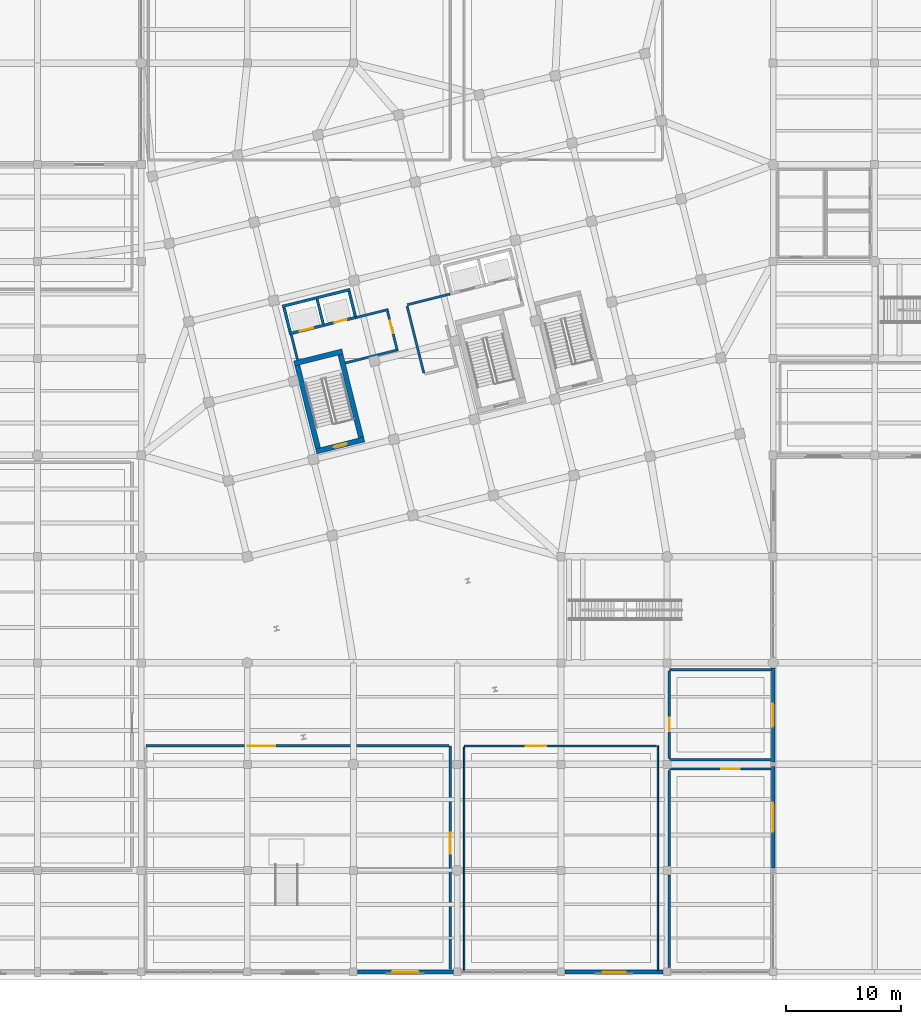
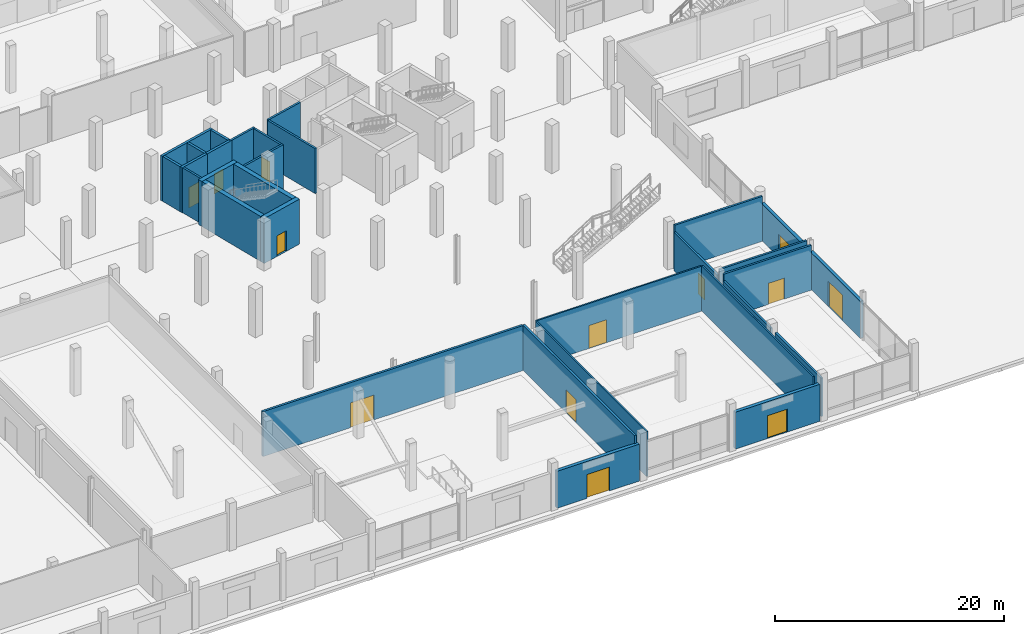
# One storey, part 59 of 73: 31 walls, 13 doors, 13 openings.
"""IFC4 building model written with IfcOpenShell, lengths in metres."""

from ifc_helpers import new_model, si_unit, direction, frame, frame_2d, origin, place, context, subcontext, project, spatial, rectangle, extrude, material, layer, layer_set, type_object, element, fill, save


model = new_model("IFC4")

# Units and contexts
model_context = context("Model", 3, precision=1e-05, world=origin(), true_north=direction((0.0, 1.0)))
body_context = subcontext(model_context, "Body", "Model", "MODEL_VIEW")
ifc_project = project(units=[si_unit("LENGTHUNIT", "METRE"), si_unit("AREAUNIT", "SQUARE_METRE"), si_unit("VOLUMEUNIT", "CUBIC_METRE"), si_unit("PLANEANGLEUNIT", "RADIAN"), si_unit("MASSUNIT", "GRAM", prefix="KILO")], contexts=[model_context])

# Site, building, storey
site_placement = place(None, origin())
site = spatial("IfcSite", under=ifc_project, at=site_placement, CompositionType="ELEMENT")
building_placement = place(site_placement, origin())
building = spatial("IfcBuilding", under=site, at=building_placement, Name="Meriwether Solvik Hall", CompositionType="ELEMENT")
storey_placement = place(building_placement, origin())
storey = spatial("IfcBuildingStorey", under=building, at=storey_placement, Name="L00", CompositionType="ELEMENT", Elevation=0.0)

# Wall, opening, door
ifc_material_1 = material(Name="Acoustic Mineral-Wool Double Gypsum Board", Category="gypsum")
ifc_layer_1 = layer(ifc_material_1, 0.219970703125)
ifc_layer_set_1 = layer_set([ifc_layer_1], Name="Acoustic Mineral-Wool Double Gypsum Board")
wall_type_1 = type_object("IfcWallType", Name="WALL-ACST-220", PredefinedType="PARTITIONING", material=ifc_layer_set_1)
wall_1_placement = place(storey_placement, frame((86.199951171875, 24.800048828125, 0.0), z_axis=(0.0, 0.0, 1.0), x_axis=(0.0, -1.0, 0.0)))
wall_1 = element("IfcWall", 1, at=wall_1_placement, inside=storey, type_object=wall_type_1, Name="L00 Interior Partition main_hall_e", PredefinedType="PARTITIONING", context=body_context, shape_type="SweptSolid", body=[
    extrude(rectangle(XDim=19.5, YDim=0.219970703125, at=frame_2d((9.75, 0.0))), origin(), (0.0, 0.0, 1.0), 4.800048828125),
])
opening_1_placement = place(wall_1_placement, frame((7.53955078125, 0.0, 0.0)))
opening_1 = element("IfcOpeningElement", 2, at=opening_1_placement, cuts=wall_1, Name="Opening D-182", PredefinedType="OPENING", context=body_context, shape_type="SweptSolid", body=[
    extrude(rectangle(XDim=1.800048828125, YDim=2.449951171875, at=frame_2d((0.89990234375, 1.22509765625))), frame((0.0, 0.1220703125, 0.0), z_axis=(0.0, -1.0, 0.0), x_axis=(1.0, 0.0, 0.0)), (0.0, 0.0, 1.0), 0.243896484375),
])
ifc_material_2 = material(Name="Solid-Core Rift White Oak Timber", Category="wood")
door_type_1 = type_object("IfcDoorType", Name="DR-AC-1800", OperationType="DOUBLE_DOOR_SINGLE_SWING", PredefinedType="DOOR", material=ifc_material_2)
door_1_placement = place(opening_1_placement, origin())
door_1 = element("IfcDoor", 3, at=door_1_placement, inside=storey, type_object=door_type_1, Name="Main Hall Door 1", OperationType="DOUBLE_DOOR_SINGLE_SWING", OverallHeight=2.449951171875, OverallWidth=1.800048828125, PredefinedType="DOOR", context=body_context, shape_type="SweptSolid", body=[
    extrude(rectangle(XDim=1.800048828125, YDim=2.449951171875, at=frame_2d((0.89990234375, 1.22509765625))), frame((0.0, 0.02490234375, 0.0), z_axis=(0.0, -1.0, 0.0), x_axis=(1.0, 0.0, 0.0)), (0.0, 0.0, 1.0), 0.050048828125),
])
fill(opening_1, door_1)

wall_2_placement = place(storey_placement, frame((59.800048828125, 24.800048828125, 0.0), z_axis=(0.0, 0.0, 1.0), x_axis=(1.0, 0.0, 0.0)))
wall_2 = element("IfcWall", 4, at=wall_2_placement, inside=storey, type_object=wall_type_1, Name="L00 Interior Partition main_hall_n", PredefinedType="PARTITIONING", context=body_context, shape_type="SweptSolid", body=[
    extrude(rectangle(XDim=26.280029296875, YDim=0.219970703125, at=frame_2d((13.14013671875, 0.0))), origin(), (0.0, 0.0, 1.0), 4.800048828125),
])
opening_2_placement = place(wall_2_placement, frame((8.837646484375, 0.0, 0.0)))
opening_2 = element("IfcOpeningElement", 5, at=opening_2_placement, cuts=wall_2, Name="Opening D-110", PredefinedType="OPENING", context=body_context, shape_type="SweptSolid", body=[
    extrude(rectangle(XDim=2.39990234375, YDim=2.64990234375, at=frame_2d((1.199951171875, 1.324951171875))), frame((0.0, 0.1220703125, 0.0), z_axis=(0.0, -1.0, 0.0), x_axis=(1.0, 0.0, 0.0)), (0.0, 0.0, 1.0), 0.243896484375),
])
ifc_material_3 = material(Name="Solid-Core Rift White Oak Timber", Category="wood")
door_type_2 = type_object("IfcDoorType", Name="DR-HALL-2400", OperationType="DOUBLE_DOOR_SINGLE_SWING", PredefinedType="DOOR", material=ifc_material_3)
door_2_placement = place(opening_2_placement, origin())
door_2 = element("IfcDoor", 6, at=door_2_placement, inside=storey, type_object=door_type_2, Name="Main Hall Door", OperationType="DOUBLE_DOOR_SINGLE_SWING", OverallHeight=2.64990234375, OverallWidth=2.39990234375, PredefinedType="DOOR", context=body_context, shape_type="SweptSolid", body=[
    extrude(rectangle(XDim=2.39990234375, YDim=2.64990234375, at=frame_2d((1.199951171875, 1.324951171875))), frame((0.0, 0.02490234375, 0.0), z_axis=(0.0, -1.0, 0.0), x_axis=(1.0, 0.0, 0.0)), (0.0, 0.0, 1.0), 0.050048828125),
])
fill(opening_2, door_2)

ifc_material_4 = material(Name="Concrete C40/50 Precast", Category="concrete")
ifc_layer_2 = layer(ifc_material_4, 0.31494140625)
ifc_layer_set_2 = layer_set([ifc_layer_2], Name="Concrete C40/50 Precast")
wall_type_2 = type_object("IfcWallType", Name="WALL-EXT-315", PredefinedType="SOLIDWALL", material=ifc_layer_set_2)
wall_3_placement = place(storey_placement, frame((114.199951171875, 23.001953125, 0.0), z_axis=(0.0, 0.0, 1.0), x_axis=(0.0, -1.0, 0.0)))
wall_3 = element("IfcWall", 7, at=wall_3_placement, inside=storey, type_object=wall_type_2, Name="L00 E Wing Facade Wall Y13_2_60", PredefinedType="SOLIDWALL", context=body_context, shape_type="SweptSolid", body=[
    extrude(rectangle(XDim=8.803955078125, YDim=0.31494140625, at=frame_2d((4.40185546875, 0.0))), origin(), (0.0, 0.0, 1.0), 3.93994140625),
])
opening_3_placement = place(wall_3_placement, frame((3.152099609375, 0.0, 0.0)))
opening_3 = element("IfcOpeningElement", 8, at=opening_3_placement, cuts=wall_3, Name="Opening D-112", PredefinedType="OPENING", context=body_context, shape_type="SweptSolid", body=[
    extrude(rectangle(XDim=2.5, YDim=2.699951171875, at=frame_2d((1.25, 1.35009765625))), frame((0.0, 0.16943359375, 0.0), z_axis=(0.0, -1.0, 0.0), x_axis=(1.0, 0.0, 0.0)), (0.0, 0.0, 1.0), 0.3388671875),
])
ifc_material_5 = material(Name="Thermally Broken Anodised Aluminium and Laminated Glass", Category="aluminium")
door_type_3 = type_object("IfcDoorType", Name="DR-EXT-MAIN-2500", OperationType="DOUBLE_DOOR_SINGLE_SWING", PredefinedType="DOOR", material=ifc_material_5)
door_3_placement = place(opening_3_placement, origin())
door_3 = element("IfcDoor", 9, at=door_3_placement, inside=storey, type_object=door_type_3, Name="Southeast Forecourt Civic Hall Entrance", OperationType="DOUBLE_DOOR_SINGLE_SWING", OverallHeight=2.699951171875, OverallWidth=2.5, PredefinedType="DOOR", context=body_context, shape_type="SweptSolid", body=[
    extrude(rectangle(XDim=2.5, YDim=2.699951171875, at=frame_2d((1.25, 1.35009765625))), frame((0.0, 0.02490234375, 0.0), z_axis=(0.0, -1.0, 0.0), x_axis=(1.0, 0.0, 0.0)), (0.0, 0.0, 1.0), 0.050048828125),
])
fill(opening_3, door_3)

wall_4_placement = place(storey_placement, frame((114.199951171875, 31.5380859375, 0.0), z_axis=(0.0, 0.0, 1.0), x_axis=(0.0, -1.0, 0.0)))
wall_4 = element("IfcWall", 10, at=wall_4_placement, inside=storey, type_object=wall_type_2, Name="L00 E Wing Facade Wall Y13_3_61", PredefinedType="SOLIDWALL", context=body_context, shape_type="SweptSolid", body=[
    extrude(rectangle(XDim=8.14013671875, YDim=0.31494140625, at=frame_2d((4.070068359375, 0.0))), origin(), (0.0, 0.0, 1.0), 3.93994140625),
])
opening_4_placement = place(wall_4_placement, frame((3.070068359375, 0.0, 0.0)))
opening_4 = element("IfcOpeningElement", 11, at=opening_4_placement, cuts=wall_4, Name="Opening D-138", PredefinedType="OPENING", context=body_context, shape_type="SweptSolid", body=[
    extrude(rectangle(XDim=2.0, YDim=2.449951171875, at=frame_2d((1.0, 1.22509765625))), frame((0.0, 0.16943359375, 0.0), z_axis=(0.0, -1.0, 0.0), x_axis=(1.0, 0.0, 0.0)), (0.0, 0.0, 1.0), 0.3388671875),
])
ifc_material_6 = material(Name="Thermally Broken Anodised Aluminium and Laminated Glass", Category="aluminium")
door_type_4 = type_object("IfcDoorType", Name="DR-EXT-EXIT-2000", OperationType="DOUBLE_DOOR_SINGLE_SWING", PredefinedType="DOOR", material=ifc_material_6)
door_4_placement = place(opening_4_placement, origin())
door_4 = element("IfcDoor", 12, at=door_4_placement, inside=storey, type_object=door_type_4, Name="Fire Command Centre Direct Exterior Door", OperationType="DOUBLE_DOOR_SINGLE_SWING", OverallHeight=2.449951171875, OverallWidth=2.0, PredefinedType="DOOR", context=body_context, shape_type="SweptSolid", body=[
    extrude(rectangle(XDim=2.0, YDim=2.449951171875, at=frame_2d((1.0, 1.22509765625))), frame((0.0, 0.02490234375, 0.0), z_axis=(0.0, -1.0, 0.0), x_axis=(1.0, 0.0, 0.0)), (0.0, 0.0, 1.0), 0.050048828125),
])
fill(opening_4, door_4)

ifc_material_7 = material(Name="Concrete C40/50 Precast", Category="concrete")
ifc_layer_3 = layer(ifc_material_7, 0.340087890625)
ifc_layer_set_3 = layer_set([ifc_layer_3], Name="Concrete C40/50 Precast")
wall_type_3 = type_object("IfcWallType", Name="WALL-EXT-340", PredefinedType="SOLIDWALL", material=ifc_layer_set_3)
wall_5_placement = place(storey_placement, frame((86.462890625, 5.199951171875, 0.0), z_axis=(0.0, 0.0, 1.0), x_axis=(-1.0, 0.0, 0.0)))
wall_5 = element("IfcWall", 13, at=wall_5_placement, inside=storey, type_object=wall_type_3, Name="L00 S Wing Facade Wall XA_9_8", PredefinedType="SOLIDWALL", context=body_context, shape_type="SweptSolid", body=[
    extrude(rectangle(XDim=8.325927734375, YDim=0.340087890625, at=frame_2d((4.1630859375, 0.0))), origin(), (0.0, 0.0, 1.0), 3.93994140625),
])
opening_5_placement = place(wall_5_placement, frame((3.012939453125, 0.0, 0.0)))
opening_5 = element("IfcOpeningElement", 14, at=opening_5_placement, cuts=wall_5, Name="Opening D-154", PredefinedType="OPENING", context=body_context, shape_type="SweptSolid", body=[
    extrude(rectangle(XDim=2.300048828125, YDim=2.550048828125, at=frame_2d((1.14990234375, 1.27490234375))), frame((0.0, 0.18212890625, 0.0), z_axis=(0.0, -1.0, 0.0), x_axis=(1.0, 0.0, 0.0)), (0.0, 0.0, 1.0), 0.364013671875),
])
ifc_material_8 = material(Name="Thermally Broken Anodised Aluminium and Laminated Glass", Category="aluminium")
door_type_5 = type_object("IfcDoorType", Name="DR-EXT-EXIT-2300", OperationType="DOUBLE_DOOR_SINGLE_SWING", PredefinedType="DOOR", material=ifc_material_8)
door_5_placement = place(opening_5_placement, origin())
door_5 = element("IfcDoor", 15, at=door_5_placement, inside=storey, type_object=door_type_5, Name="Main Hall South Street Exit Door", OperationType="DOUBLE_DOOR_SINGLE_SWING", OverallHeight=2.550048828125, OverallWidth=2.300048828125, PredefinedType="DOOR", context=body_context, shape_type="SweptSolid", body=[
    extrude(rectangle(XDim=2.300048828125, YDim=2.550048828125, at=frame_2d((1.14990234375, 1.27490234375))), frame((0.0, 0.02490234375, 0.0), z_axis=(0.0, -1.0, 0.0), x_axis=(1.0, 0.0, 0.0)), (0.0, 0.0, 1.0), 0.050048828125),
])
fill(opening_5, door_5)

wall_6_placement = place(storey_placement, frame((104.6630859375, 5.199951171875, 0.0), z_axis=(0.0, 0.0, 1.0), x_axis=(-1.0, 0.0, 0.0)))
wall_6 = element("IfcWall", 16, at=wall_6_placement, inside=storey, type_object=wall_type_3, Name="L00 S Wing Facade Wall XA_11_10", PredefinedType="SOLIDWALL", context=body_context, shape_type="SweptSolid", body=[
    extrude(rectangle(XDim=8.526123046875, YDim=0.340087890625, at=frame_2d((4.26318359375, 0.0))), origin(), (0.0, 0.0, 1.0), 3.93994140625),
])
opening_6_placement = place(wall_6_placement, frame((3.262939453125, 0.0, 0.0)))
opening_6 = element("IfcOpeningElement", 17, at=opening_6_placement, cuts=wall_6, Name="Opening D-138", PredefinedType="OPENING", context=body_context, shape_type="SweptSolid", body=[
    extrude(rectangle(XDim=2.0, YDim=2.449951171875, at=frame_2d((1.0, 1.22509765625))), frame((0.0, 0.18212890625, 0.0), z_axis=(0.0, -1.0, 0.0), x_axis=(1.0, 0.0, 0.0)), (0.0, 0.0, 1.0), 0.364013671875),
])
door_6_placement = place(opening_6_placement, origin())
door_6 = element("IfcDoor", 18, at=door_6_placement, inside=storey, type_object=door_type_4, Name="Dining Hall South Street Exit Door", OperationType="DOUBLE_DOOR_SINGLE_SWING", OverallHeight=2.449951171875, OverallWidth=2.0, PredefinedType="DOOR", context=body_context, shape_type="SweptSolid", body=[
    extrude(rectangle(XDim=2.0, YDim=2.449951171875, at=frame_2d((1.0, 1.22509765625))), frame((0.0, 0.02490234375, 0.0), z_axis=(0.0, -1.0, 0.0), x_axis=(1.0, 0.0, 0.0)), (0.0, 0.0, 1.0), 0.050048828125),
])
fill(opening_6, door_6)

# Walls
ifc_material_9 = material(Name="Fire-Rated Type X Gypsum Board", Category="gypsum")
ifc_layer_4 = layer(ifc_material_9, 0.199951171875)
ifc_layer_set_4 = layer_set([ifc_layer_4], Name="Fire-Rated Type X Gypsum Board")
wall_type_4 = type_object("IfcWallType", Name="WALL-FIRE-200", PredefinedType="STANDARD", material=ifc_layer_set_4)
wall_7_placement = place(storey_placement, frame((72.94970703125, 58.269287109375, 0.0), z_axis=(0.0, 0.0, 1.0), x_axis=(-0.24194311862, 0.970290434536, 0.0)))
element("IfcWall", 19, at=wall_7_placement, inside=storey, type_object=wall_type_4, Name="L00 Interior Partition lb1_w", PredefinedType="STANDARD", context=body_context, shape_type="SweptSolid", body=[
    extrude(rectangle(XDim=2.22998046875, YDim=0.199951171875, at=frame_2d((1.114990234375, 0.0))), origin(), (0.0, 0.0, 1.0), 4.800048828125),
])
wall_8_placement = place(storey_placement, frame((77.096923828125, 58.0048828125, 0.0), z_axis=(0.0, 0.0, 1.0), x_axis=(0.970305892741, 0.241881116483, 0.0)))
element("IfcWall", 20, at=wall_8_placement, inside=storey, type_object=wall_type_4, Name="L00 Interior Partition lb1_s", PredefinedType="STANDARD", context=body_context, shape_type="SweptSolid", body=[
    extrude(rectangle(XDim=4.73974609375, YDim=0.199951171875, at=frame_2d((2.369873046875, 0.0))), origin(), (0.0, 0.0, 1.0), 4.800048828125),
])
wall_9_placement = place(storey_placement, frame((77.991943359375, 61.938232421875, 0.0), z_axis=(0.0, 0.0, 1.0), x_axis=(0.970304586447, 0.241886356621, 0.0)))
element("IfcWall", 21, at=wall_9_placement, inside=storey, type_object=wall_type_4, Name="L00 Interior Partition lb1_n_cap", PredefinedType="STANDARD", context=body_context, shape_type="SweptSolid", body=[
    extrude(rectangle(XDim=2.919921875, YDim=0.199951171875, at=frame_2d((1.4599609375, 0.0))), origin(), (0.0, 0.0, 1.0), 4.800048828125),
])

# Wall, opening, door
wall_10_placement = place(storey_placement, frame((80.75732421875, 62.50390625, 0.0), z_axis=(0.0, 0.0, 1.0), x_axis=(0.241885902723, -0.970304699599, 0.0)))
wall_10 = element("IfcWall", 22, at=wall_10_placement, inside=storey, type_object=wall_type_4, Name="L00 Interior Partition lb1_e", PredefinedType="STANDARD", context=body_context, shape_type="SweptSolid", body=[
    extrude(rectangle(XDim=3.360107421875, YDim=0.199951171875, at=frame_2d((1.68017578125, 0.0))), origin(), (0.0, 0.0, 1.0), 4.800048828125),
])
opening_7_placement = place(wall_10_placement, frame((0.889892578125, 0.0, 0.0)))
opening_7 = element("IfcOpeningElement", 23, at=opening_7_placement, cuts=wall_10, Name="Opening D-168", PredefinedType="OPENING", context=body_context, shape_type="SweptSolid", body=[
    extrude(rectangle(XDim=1.10009765625, YDim=2.199951171875, at=frame_2d((0.550048828125, 1.10009765625))), frame((0.0, 0.11181640625, 0.0), z_axis=(0.0, -1.0, 0.0), x_axis=(1.0, 0.0, 0.0)), (0.0, 0.0, 1.0), 0.223876953125),
])
ifc_material_10 = material(Name="Steel A36 Galvanised", Category="steel")
door_type_6 = type_object("IfcDoorType", Name="DR-FD60-1100L", OperationType="SINGLE_SWING_LEFT", PredefinedType="DOOR", material=ifc_material_10)
door_7_placement = place(opening_7_placement, origin())
door_7 = element("IfcDoor", 24, at=door_7_placement, inside=storey, type_object=door_type_6, Name="West FSAE Lift Lobby Door (L00)", OperationType="SINGLE_SWING_LEFT", OverallHeight=2.199951171875, OverallWidth=1.10009765625, PredefinedType="DOOR", context=body_context, shape_type="SweptSolid", body=[
    extrude(rectangle(XDim=1.10009765625, YDim=2.199951171875, at=frame_2d((0.550048828125, 1.10009765625))), frame((0.0, 0.02490234375, 0.0), z_axis=(0.0, -1.0, 0.0), x_axis=(1.0, 0.0, 0.0)), (0.0, 0.0, 1.0), 0.050048828125),
])
fill(opening_7, door_7)

# Walls
wall_11_placement = place(storey_placement, frame((82.452880859375, 62.93701171875, 0.0), z_axis=(0.0, 0.0, 1.0), x_axis=(0.241891967324, -0.970303187743, 0.0)))
element("IfcWall", 25, at=wall_11_placement, inside=storey, type_object=wall_type_4, Name="L00 Interior Partition lb2_w", PredefinedType="STANDARD", context=body_context, shape_type="SweptSolid", body=[
    extrude(rectangle(XDim=5.97998046875, YDim=0.199951171875, at=frame_2d((2.989990234375, 0.0))), origin(), (0.0, 0.0, 1.0), 4.800048828125),
])
wall_12_placement = place(storey_placement, frame((82.47265625, 63.05517578125, 0.0), z_axis=(0.0, 0.0, 1.0), x_axis=(0.970284368558, 0.241967444366, 0.0)))
element("IfcWall", 26, at=wall_12_placement, inside=storey, type_object=wall_type_4, Name="L00 Interior Partition lb2_n_cap_w", PredefinedType="STANDARD", context=body_context, shape_type="SweptSolid", body=[
    extrude(rectangle(XDim=3.84228515625, YDim=0.199951171875, at=frame_2d((1.921142578125, 0.0))), origin(), (0.0, 0.0, 1.0), 4.800048828125),
])

# Wall, opening, door
wall_13_placement = place(storey_placement, frame((114.01953125, 22.800048828125, 0.0), z_axis=(0.0, 0.0, 1.0), x_axis=(-1.0, 0.0, 0.0)))
wall_13 = element("IfcWall", 27, at=wall_13_placement, inside=storey, type_object=wall_type_4, Name="L00 Interior Partition kitchen_n", PredefinedType="STANDARD", context=body_context, shape_type="SweptSolid", body=[
    extrude(rectangle(XDim=8.819580078125, YDim=0.199951171875, at=frame_2d((4.40966796875, 0.0))), origin(), (0.0, 0.0, 1.0), 4.800048828125),
])
opening_8_placement = place(wall_13_placement, frame((2.7158203125, 0.0, 0.0)))
opening_8 = element("IfcOpeningElement", 28, at=opening_8_placement, cuts=wall_13, Name="Opening D-144", PredefinedType="OPENING", context=body_context, shape_type="SweptSolid", body=[
    extrude(rectangle(XDim=1.60009765625, YDim=2.25, at=frame_2d((0.800048828125, 1.125))), frame((0.0, 0.11181640625, 0.0), z_axis=(0.0, -1.0, 0.0), x_axis=(1.0, 0.0, 0.0)), (0.0, 0.0, 1.0), 0.223876953125),
])
ifc_material_11 = material(Name="Steel A36 Galvanised", Category="steel")
door_type_7 = type_object("IfcDoorType", Name="DR-FD60-1600", OperationType="DOUBLE_DOOR_SINGLE_SWING", PredefinedType="DOOR", material=ifc_material_11)
door_8_placement = place(opening_8_placement, origin())
door_8 = element("IfcDoor", 29, at=door_8_placement, inside=storey, type_object=door_type_7, Name="Commercial Kitchen Door", OperationType="DOUBLE_DOOR_SINGLE_SWING", OverallHeight=2.25, OverallWidth=1.60009765625, PredefinedType="DOOR", context=body_context, shape_type="SweptSolid", body=[
    extrude(rectangle(XDim=1.60009765625, YDim=2.25, at=frame_2d((0.800048828125, 1.125))), frame((0.0, 0.02490234375, 0.0), z_axis=(0.0, -1.0, 0.0), x_axis=(1.0, 0.0, 0.0)), (0.0, 0.0, 1.0), 0.050048828125),
])
fill(opening_8, door_8)

# Walls
wall_14_placement = place(storey_placement, frame((105.199951171875, 22.679931640625, 0.0), z_axis=(0.0, 0.0, 1.0), x_axis=(0.0, -1.0, 0.0)))
element("IfcWall", 30, at=wall_14_placement, inside=storey, type_object=wall_type_4, Name="L00 Interior Partition kitchen_w", PredefinedType="STANDARD", context=body_context, shape_type="SweptSolid", body=[
    extrude(rectangle(XDim=8.290283203125, YDim=0.199951171875, at=frame_2d((4.14501953125, 0.0))), origin(), (0.0, 0.0, 1.0), 4.10009765625),
])
wall_15_placement = place(storey_placement, frame((105.199951171875, 13.6103515625, 0.0), z_axis=(0.0, 0.0, 1.0), x_axis=(0.0, -1.0, 0.0)))
element("IfcWall", 31, at=wall_15_placement, inside=storey, type_object=wall_type_4, Name="L00 Interior Partition kitchen_w_s2", PredefinedType="STANDARD", context=body_context, shape_type="SweptSolid", body=[
    extrude(rectangle(XDim=8.020751953125, YDim=0.199951171875, at=frame_2d((4.01025390625, 0.0))), origin(), (0.0, 0.0, 1.0), 4.10009765625),
])
wall_16_placement = place(storey_placement, frame((105.199951171875, 23.60009765625, 0.0), z_axis=(0.0, 0.0, 1.0), x_axis=(1.0, 0.0, 0.0)))
element("IfcWall", 32, at=wall_16_placement, inside=storey, type_object=wall_type_4, Name="L00 Interior Partition fcc_s", PredefinedType="STANDARD", context=body_context, shape_type="SweptSolid", body=[
    extrude(rectangle(XDim=8.819580078125, YDim=0.199951171875, at=frame_2d((4.40966796875, 0.0))), origin(), (0.0, 0.0, 1.0), 4.800048828125),
])
wall_17_placement = place(storey_placement, frame((114.050048828125, 31.39990234375, 0.0), z_axis=(0.0, 0.0, 1.0), x_axis=(-1.0, 0.0, 0.0)))
element("IfcWall", 33, at=wall_17_placement, inside=storey, type_object=wall_type_4, Name="L00 Interior Partition fcc_n", PredefinedType="STANDARD", context=body_context, shape_type="SweptSolid", body=[
    extrude(rectangle(XDim=8.85009765625, YDim=0.199951171875, at=frame_2d((4.425048828125, 0.0))), origin(), (0.0, 0.0, 1.0), 4.800048828125),
])

# Wall, opening, door
wall_18_placement = place(storey_placement, frame((105.199951171875, 23.719970703125, 0.0), z_axis=(0.0, 0.0, 1.0), x_axis=(0.0, 1.0, 0.0)))
wall_18 = element("IfcWall", 34, at=wall_18_placement, inside=storey, type_object=wall_type_4, Name="L00 Interior Partition fcc_w", PredefinedType="STANDARD", context=body_context, shape_type="SweptSolid", body=[
    extrude(rectangle(XDim=7.56005859375, YDim=0.199951171875, at=frame_2d((3.780029296875, 0.0))), origin(), (0.0, 0.0, 1.0), 4.10009765625),
])
opening_9_placement = place(wall_18_placement, frame((2.351318359375, 0.0, 0.0)))
opening_9 = element("IfcOpeningElement", 35, at=opening_9_placement, cuts=wall_18, Name="Opening D-189", PredefinedType="OPENING", context=body_context, shape_type="SweptSolid", body=[
    extrude(rectangle(XDim=1.14990234375, YDim=2.199951171875, at=frame_2d((0.574951171875, 1.10009765625))), frame((0.0, 0.11181640625, 0.0), z_axis=(0.0, -1.0, 0.0), x_axis=(1.0, 0.0, 0.0)), (0.0, 0.0, 1.0), 0.223876953125),
])
ifc_material_12 = material(Name="Steel A36 Galvanised", Category="steel")
door_type_8 = type_object("IfcDoorType", Name="DR-FD90-1150L", OperationType="SINGLE_SWING_LEFT", PredefinedType="DOOR", material=ifc_material_12)
door_9_placement = place(opening_9_placement, origin())
door_9 = element("IfcDoor", 36, at=door_9_placement, inside=storey, type_object=door_type_8, Name="Fire Command Centre Door", OperationType="SINGLE_SWING_LEFT", OverallHeight=2.199951171875, OverallWidth=1.14990234375, PredefinedType="DOOR", context=body_context, shape_type="SweptSolid", body=[
    extrude(rectangle(XDim=1.14990234375, YDim=2.199951171875, at=frame_2d((0.574951171875, 1.10009765625))), frame((0.0, 0.02490234375, 0.0), z_axis=(0.0, -1.0, 0.0), x_axis=(1.0, 0.0, 0.0)), (0.0, 0.0, 1.0), 0.050048828125),
])
fill(opening_9, door_9)

# Walls
ifc_material_13 = material(Name="Concrete C40/50", Category="concrete")
ifc_layer_5 = layer(ifc_material_13, 0.25)
ifc_layer_set_5 = layer_set([ifc_layer_5], Name="Concrete C40/50")
wall_type_5 = type_object("IfcWallType", Name="WALL-HOIST-250", PredefinedType="SHEAR", material=ifc_layer_set_5)
wall_19_placement = place(storey_placement, frame((77.509765625, 64.36865234375, 0.0), z_axis=(0.0, 0.0, 1.0), x_axis=(-0.970296596103, -0.241918406889, 0.0)))
element("IfcWall", 37, at=wall_19_placement, inside=storey, type_object=wall_type_5, Name="Hoistway BANK1 North Wall (L00)", PredefinedType="SHEAR", context=body_context, shape_type="SweptSolid", body=[
    extrude(rectangle(XDim=6.050048828125, YDim=0.25, at=frame_2d((3.02490234375, 0.0))), origin(), (0.0, 0.0, 1.0), 4.800048828125),
])
for number, where, z_axis, x_axis, name in (
    (38, (71.793212890625, 62.80419921875, 0.0), (0.0, 0.0, 1.0), (0.242008581424, -0.970274108959, 0.0), "Hoistway BANK1 West Wall (L00)"),
    (39, (77.948486328125, 62.09228515625, 0.0), (0.0, 0.0, 1.0), (-0.241903146974, 0.970300400641, 0.0), "Hoistway BANK1 East Wall (L00)"),
    (40, (75.18310546875, 61.402587890625, 0.0), (0.0, 0.0, 1.0), (-0.241903146974, 0.970300400641, 0.0), "Hoistway BANK1 Divider Pier (L00)"),
):
    element("IfcWall", number, at=place(storey_placement, frame(where, z_axis=z_axis, x_axis=x_axis)), inside=storey, type_object=wall_type_5, Name=name, PredefinedType="SHEAR", context=body_context, shape_type="SweptSolid", body=[
        extrude(rectangle(XDim=2.179931640625, YDim=0.25, at=frame_2d((1.08984375, 0.0))), origin(), (0.0, 0.0, 1.0), 4.800048828125),
    ])

# Wall, opening, door
wall_20_placement = place(storey_placement, frame((72.232177734375, 60.52783203125, 0.0), z_axis=(0.0, 0.0, 1.0), x_axis=(0.970296930481, 0.241917065747, 0.0)))
wall_20 = element("IfcWall", 41, at=wall_20_placement, inside=storey, type_object=wall_type_5, Name="Lift LF-01 Landing Wall (L00)", PredefinedType="SHEAR", context=body_context, shape_type="SweptSolid", body=[
    extrude(rectangle(XDim=3.06494140625, YDim=0.25, at=frame_2d((1.532470703125, 0.0))), origin(), (0.0, 0.0, 1.0), 4.800048828125),
])
opening_10_placement = place(wall_20_placement, frame((0.9326171875, 0.0, 0.0)))
opening_10 = element("IfcOpeningElement", 42, at=opening_10_placement, cuts=wall_20, Name="Opening LD-01", PredefinedType="OPENING", context=body_context, shape_type="SweptSolid", body=[
    extrude(rectangle(XDim=1.199951171875, YDim=2.199951171875, at=frame_2d((0.60009765625, 1.10009765625))), frame((0.0, 0.136962890625, 0.0), z_axis=(0.0, -1.0, 0.0), x_axis=(1.0, 0.0, 0.0)), (0.0, 0.0, 1.0), 0.27392578125),
])
ifc_material_14 = material(Name="Stainless Steel AISI 316", Category="steel")
door_type_9 = type_object("IfcDoorType", Name="DR-LIFT-FSAE", OperationType="DOUBLE_DOOR_SLIDING", PredefinedType="DOOR", material=ifc_material_14)
door_10_placement = place(opening_10_placement, origin())
door_10 = element("IfcDoor", 43, at=door_10_placement, inside=storey, type_object=door_type_9, Name="Lift Landing Door LF-01 (L00)", OperationType="DOUBLE_DOOR_SLIDING", OverallHeight=2.199951171875, OverallWidth=1.199951171875, PredefinedType="DOOR", context=body_context, shape_type="SweptSolid", body=[
    extrude(rectangle(XDim=1.199951171875, YDim=2.199951171875, at=frame_2d((0.60009765625, 1.10009765625))), frame((0.0, 0.02490234375, 0.0), z_axis=(0.0, -1.0, 0.0), x_axis=(1.0, 0.0, 0.0)), (0.0, 0.0, 1.0), 0.050048828125),
])
fill(opening_10, door_10)

wall_21_placement = place(storey_placement, frame((75.225341796875, 61.274169921875, 0.0), z_axis=(0.0, 0.0, 1.0), x_axis=(0.970297295425, 0.241915601999, 0.0)))
wall_21 = element("IfcWall", 44, at=wall_21_placement, inside=storey, type_object=wall_type_5, Name="Lift LP-01 Landing Wall (L00)", PredefinedType="SHEAR", context=body_context, shape_type="SweptSolid", body=[
    extrude(rectangle(XDim=2.965087890625, YDim=0.25, at=frame_2d((1.482421875, 0.0))), origin(), (0.0, 0.0, 1.0), 4.800048828125),
])
opening_11_placement = place(wall_21_placement, frame((0.9326171875, 0.0, 0.0)))
opening_11 = element("IfcOpeningElement", 45, at=opening_11_placement, cuts=wall_21, Name="Opening LD-03", PredefinedType="OPENING", context=body_context, shape_type="SweptSolid", body=[
    extrude(rectangle(XDim=1.10009765625, YDim=2.14990234375, at=frame_2d((0.550048828125, 1.074951171875))), frame((0.0, 0.136962890625, 0.0), z_axis=(0.0, -1.0, 0.0), x_axis=(1.0, 0.0, 0.0)), (0.0, 0.0, 1.0), 0.27392578125),
])
ifc_material_15 = material(Name="Stainless Steel AISI 316", Category="steel")
door_type_10 = type_object("IfcDoorType", Name="DR-LIFT-PASS", OperationType="DOUBLE_DOOR_SLIDING", PredefinedType="DOOR", material=ifc_material_15)
door_11_placement = place(opening_11_placement, origin())
door_11 = element("IfcDoor", 46, at=door_11_placement, inside=storey, type_object=door_type_10, Name="Lift Landing Door LP-01 (L00)", OperationType="DOUBLE_DOOR_SLIDING", OverallHeight=2.14990234375, OverallWidth=1.10009765625, PredefinedType="DOOR", context=body_context, shape_type="SweptSolid", body=[
    extrude(rectangle(XDim=1.10009765625, YDim=2.14990234375, at=frame_2d((0.550048828125, 1.074951171875))), frame((0.0, 0.02490234375, 0.0), z_axis=(0.0, -1.0, 0.0), x_axis=(1.0, 0.0, 0.0)), (0.0, 0.0, 1.0), 0.050048828125),
])
fill(opening_11, door_11)

# Wall
ifc_material_16 = material(Name="Gypsum Board Partition", Category="gypsum")
ifc_layer_6 = layer(ifc_material_16, 0.14990234375)
ifc_layer_set_6 = layer_set([ifc_layer_6], Name="Gypsum Board Partition")
wall_type_6 = type_object("IfcWallType", Name="WALL-PART-150", PredefinedType="PARTITIONING", material=ifc_layer_set_6)
wall_22_placement = place(storey_placement, frame((104.199951171875, 5.300048828125, 0.0), z_axis=(0.0, 0.0, 1.0), x_axis=(0.0, 1.0, 0.0)))
element("IfcWall", 47, at=wall_22_placement, inside=storey, type_object=wall_type_6, Name="L00 Interior Partition dining_hall_e", PredefinedType="PARTITIONING", context=body_context, shape_type="SweptSolid", body=[
    extrude(rectangle(XDim=19.5, YDim=0.14990234375, at=frame_2d((9.75, 0.0))), origin(), (0.0, 0.0, 1.0), 4.800048828125),
])

# Wall, opening, door
wall_23_placement = place(storey_placement, frame((87.39990234375, 24.800048828125, 0.0), z_axis=(0.0, 0.0, 1.0), x_axis=(1.0, 0.0, 0.0)))
wall_23 = element("IfcWall", 48, at=wall_23_placement, inside=storey, type_object=wall_type_6, Name="L00 Interior Partition dining_hall_n", PredefinedType="PARTITIONING", context=body_context, shape_type="SweptSolid", body=[
    extrude(rectangle(XDim=16.68017578125, YDim=0.14990234375, at=frame_2d((8.340087890625, 0.0))), origin(), (0.0, 0.0, 1.0), 4.800048828125),
])
opening_12_placement = place(wall_23_placement, frame((5.328125, 0.0, 0.0)))
opening_12 = element("IfcOpeningElement", 49, at=opening_12_placement, cuts=wall_23, Name="Opening D-182", PredefinedType="OPENING", context=body_context, shape_type="SweptSolid", body=[
    extrude(rectangle(XDim=1.800048828125, YDim=2.449951171875, at=frame_2d((0.89990234375, 1.22509765625))), frame((0.0, 0.0869140625, 0.0), z_axis=(0.0, -1.0, 0.0), x_axis=(1.0, 0.0, 0.0)), (0.0, 0.0, 1.0), 0.173828125),
])
door_12_placement = place(opening_12_placement, origin())
door_12 = element("IfcDoor", 50, at=door_12_placement, inside=storey, type_object=door_type_1, Name="Dining Hall Door", OperationType="DOUBLE_DOOR_SINGLE_SWING", OverallHeight=2.449951171875, OverallWidth=1.800048828125, PredefinedType="DOOR", context=body_context, shape_type="SweptSolid", body=[
    extrude(rectangle(XDim=1.800048828125, YDim=2.449951171875, at=frame_2d((0.89990234375, 1.22509765625))), frame((0.0, 0.02490234375, 0.0), z_axis=(0.0, -1.0, 0.0), x_axis=(1.0, 0.0, 0.0)), (0.0, 0.0, 1.0), 0.050048828125),
])
fill(opening_12, door_12)

# Wall
wall_24_placement = place(storey_placement, frame((87.39990234375, 24.679931640625, 0.0), z_axis=(0.0, 0.0, 1.0), x_axis=(0.0, -1.0, 0.0)))
element("IfcWall", 51, at=wall_24_placement, inside=storey, type_object=wall_type_6, Name="L00 Interior Partition dining_hall_w", PredefinedType="PARTITIONING", context=body_context, shape_type="SweptSolid", body=[
    extrude(rectangle(XDim=19.3798828125, YDim=0.14990234375, at=frame_2d((9.68994140625, 0.0))), origin(), (0.0, 0.0, 1.0), 4.800048828125),
])

# Wall, opening, door
ifc_material_17 = material(Name="Concrete C45/55", Category="concrete")
ifc_layer_7 = layer(ifc_material_17, 0.449951171875)
ifc_layer_set_7 = layer_set([ifc_layer_7], Name="Concrete C45/55")
wall_type_7 = type_object("IfcWallType", Name="WALL-RC-450", PredefinedType="SHEAR", material=ifc_layer_set_7)
wall_25_placement = place(storey_placement, frame((78.73828125, 51.380126953125, 0.0), z_axis=(0.0, 0.0, 1.0), x_axis=(-0.970292610647, -0.241934391361, 0.0)))
wall_25 = element("IfcWall", 52, at=wall_25_placement, inside=storey, type_object=wall_type_7, Name="CORE-1 Shear Wall S (L00)", PredefinedType="SHEAR", context=body_context, shape_type="SweptSolid", body=[
    extrude(rectangle(XDim=4.2998046875, YDim=0.449951171875, at=frame_2d((2.14990234375, 0.0))), origin(), (0.0, 0.0, 1.0), 4.800048828125),
])
opening_13_placement = place(wall_25_placement, frame((1.574951171875, 0.0, 0.0)))
opening_13 = element("IfcOpeningElement", 53, at=opening_13_placement, cuts=wall_25, Name="Opening D-189", PredefinedType="OPENING", context=body_context, shape_type="SweptSolid", body=[
    extrude(rectangle(XDim=1.14990234375, YDim=2.199951171875, at=frame_2d((0.574951171875, 1.10009765625))), frame((0.0, 0.23681640625, 0.0), z_axis=(0.0, -1.0, 0.0), x_axis=(1.0, 0.0, 0.0)), (0.0, 0.0, 1.0), 0.473876953125),
])
door_13_placement = place(opening_13_placement, origin())
door_13 = element("IfcDoor", 54, at=door_13_placement, inside=storey, type_object=door_type_8, Name="Stair ST-01 Smokeproof Exit Door (L00)", OperationType="SINGLE_SWING_LEFT", OverallHeight=2.199951171875, OverallWidth=1.14990234375, PredefinedType="DOOR", context=body_context, shape_type="SweptSolid", body=[
    extrude(rectangle(XDim=1.14990234375, YDim=2.199951171875, at=frame_2d((0.574951171875, 1.10009765625))), frame((0.0, 0.02490234375, 0.0), z_axis=(0.0, -1.0, 0.0), x_axis=(1.0, 0.0, 0.0)), (0.0, 0.0, 1.0), 0.050048828125),
])
fill(opening_13, door_13)

# Walls
wall_26_placement = place(storey_placement, frame((76.83935546875, 58.996826171875, 0.0), z_axis=(0.0, 0.0, 1.0), x_axis=(-0.970295933763, -0.241921063415, 0.0)))
element("IfcWall", 55, at=wall_26_placement, inside=storey, type_object=wall_type_7, Name="CORE-1 Shear Wall N (L00)", PredefinedType="SHEAR", context=body_context, shape_type="SweptSolid", body=[
    extrude(rectangle(XDim=4.300048828125, YDim=0.449951171875, at=frame_2d((2.14990234375, 0.0))), origin(), (0.0, 0.0, 1.0), 4.800048828125),
])
for number, where, z_axis, x_axis, name in (
    (56, (72.942138671875, 57.782958984375, 0.0), (0.0, 0.0, 1.0), (0.241928426141, -0.970294098006, 0.0), "CORE-1 Shear Wall W (L00)"),
    (57, (78.463134765625, 51.5537109375, 0.0), (0.0, 0.0, 1.0), (-0.241928426141, 0.970294098006, 0.0), "CORE-1 Shear Wall E (L00)"),
):
    element("IfcWall", number, at=place(storey_placement, frame(where, z_axis=z_axis, x_axis=x_axis)), inside=storey, type_object=wall_type_7, Name=name, PredefinedType="SHEAR", context=body_context, shape_type="SweptSolid", body=[
        extrude(rectangle(XDim=7.3798828125, YDim=0.449951171875, at=frame_2d((3.68994140625, 0.0))), origin(), (0.0, 0.0, 1.0), 4.800048828125),
    ])

save(model, "model.ifc")
